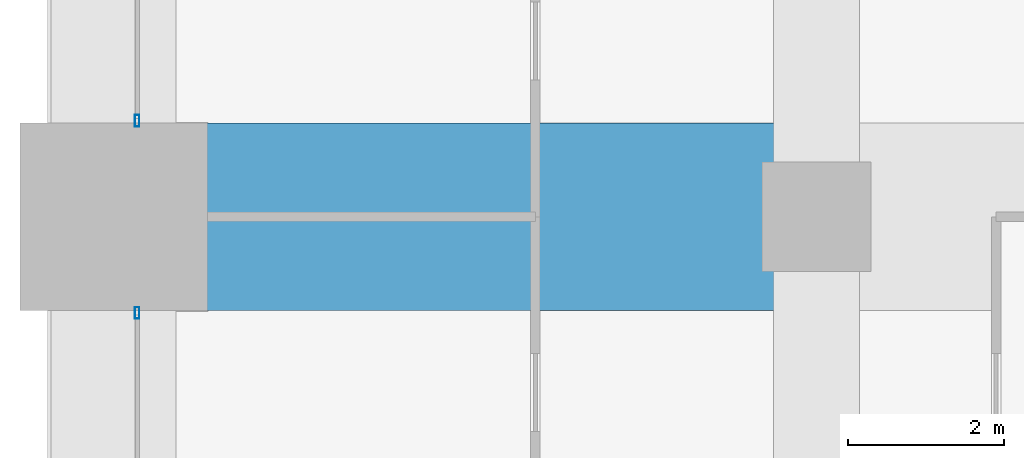
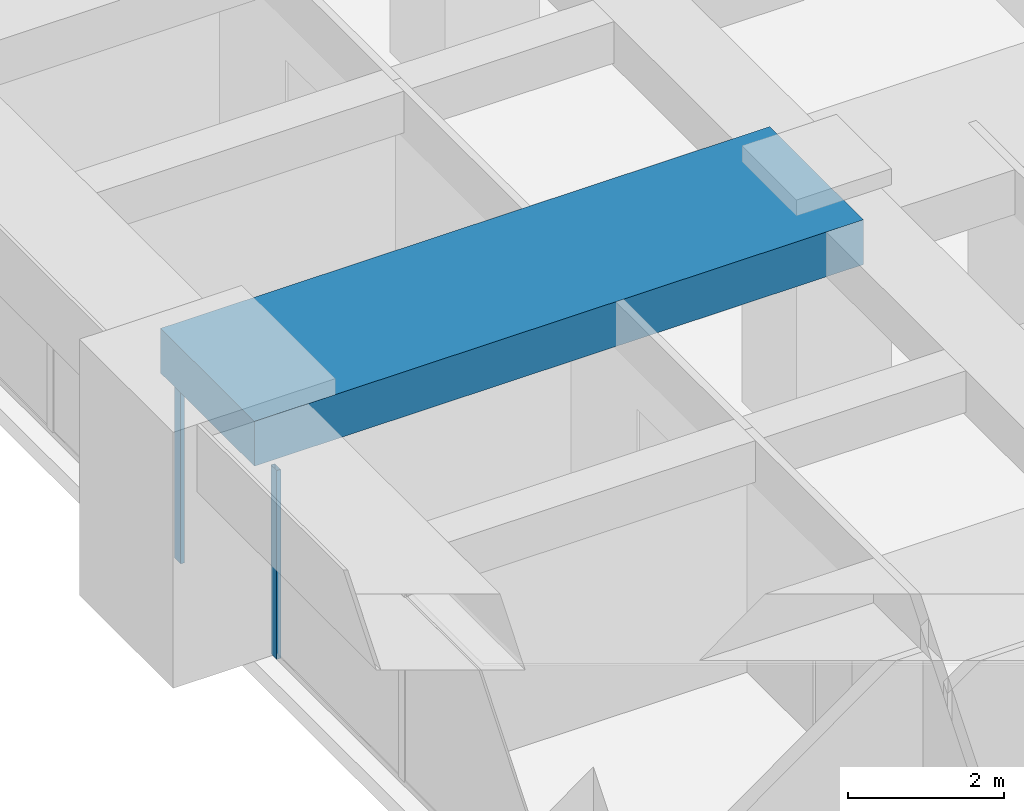
# One storey, part 11 of 35: 2 members, 1 beam, 2 elements without a shape of their own.
"""IFC4 building model written with IfcOpenShell, lengths in metres."""

from ifc_helpers import new_model, si_unit, direction, frame, origin, origin_2d, place, context, subcontext, project, spatial, rectangle, hollow_rectangle, extrude, material, material_profile, profile_set, type_object, element, aggregate, save


model = new_model("IFC4")

# Units and contexts
model_context = context("Model", 3, precision=1e-05, world=origin(), true_north=direction((0.0, 1.0)))
body_context = subcontext(model_context, "Body", "Model", "MODEL_VIEW")
ifc_project = project(units=[si_unit("LENGTHUNIT", "METRE"), si_unit("AREAUNIT", "SQUARE_METRE"), si_unit("VOLUMEUNIT", "CUBIC_METRE"), si_unit("PLANEANGLEUNIT", "RADIAN"), si_unit("MASSUNIT", "GRAM", prefix="KILO")], contexts=[model_context])

# Site, building, storey
site_placement = place(None, origin())
site = spatial("IfcSite", under=ifc_project, at=site_placement, CompositionType="ELEMENT")
building_placement = place(site_placement, origin())
building = spatial("IfcBuilding", under=site, at=building_placement, Name="Zorevar Civic Tower", CompositionType="ELEMENT")
storey_placement = place(building_placement, frame((0.0, 0.0, 222.199951171875)))
storey = spatial("IfcBuildingStorey", under=building, at=storey_placement, Name="L54", CompositionType="ELEMENT", Elevation=222.199951171875)

# Beam
ifc_material_1 = material(Name="Concrete C50/60", Category="concrete")
ifc_material_profile_1 = material_profile(ifc_material_1, rectangle(XDim=2.39990234375, YDim=0.699951171875, at=origin_2d()), Name="RC 2400x700")
ifc_profile_set_1 = profile_set([ifc_material_profile_1], Name="Concrete C50/60")
beam_type = type_object("IfcBeamType", Name="Beam RC 2400x700", PredefinedType="BEAM", material=ifc_profile_set_1)
beam_placement = place(storey_placement, frame((0.0, 27.0, 3.400146484375), z_axis=(1.0, 0.0, 0.0), x_axis=(0.0, 1.0, 0.0)))
element("IfcBeam", 1, at=beam_placement, inside=storey, type_object=beam_type, Name="Girder L55", PredefinedType="BEAM", context=body_context, shape_type="SweptSolid", body=[
    extrude(rectangle(XDim=2.39990234375, YDim=0.699951171875, at=origin_2d()), origin(), (0.0, 0.0, 1.0), 9.0),
])

# Curtain wall, member
ifc_material_2 = material(Name="Dark grey solar-control glass in black aluminium frame", Category="aluminium")
curtain_wall_type = type_object("IfcCurtainWallType", Name="Curtain wall CW4 high zone", PredefinedType="NOTDEFINED", material=ifc_material_2)
curtain_wall_1_placement = place(storey_placement, origin())
curtain_wall_1 = element("IfcCurtainWall", 2, at=curtain_wall_1_placement, inside=storey, type_object=curtain_wall_type, Name="CW4 L54", PredefinedType="NOTDEFINED")
ifc_material_3 = material(Name="Aluminium, black anodised", Category="aluminium")
ifc_material_profile_2 = material_profile(ifc_material_3, hollow_rectangle(XDim=0.06005859375, YDim=0.14990234375, WallThickness=0.00390625, at=origin_2d()), Name="AL 150x60x4")
ifc_profile_set_2 = profile_set([ifc_material_profile_2], Name="Aluminium, black anodised")
member_type = type_object("IfcMemberType", Name="CW4 mullion AL 150x60x4", PredefinedType="MULLION", material=ifc_profile_set_2)
member_1_placement = place(storey_placement, frame((0.300048828125, 25.77001953125, 0.0), z_axis=(0.0, 0.0, 1.0), x_axis=(-1.0, 0.0, 0.0)))
member_1 = element("IfcMember", 3, at=member_1_placement, type_object=member_type, Name="CW4 mullion 3", PredefinedType="MULLION", context=body_context, shape_type="SweptSolid", body=[
    extrude(hollow_rectangle(XDim=0.06005859375, YDim=0.14990234375, WallThickness=0.00390625, at=origin_2d()), origin(), (0.0, 0.0, 1.0), 2.949951171875),
])
aggregate(curtain_wall_1, [member_1])

curtain_wall_2_placement = place(storey_placement, origin())
curtain_wall_2 = element("IfcCurtainWall", 4, at=curtain_wall_2_placement, inside=storey, type_object=curtain_wall_type, Name="CW4 L54", PredefinedType="NOTDEFINED")
member_2_placement = place(storey_placement, frame((0.300048828125, 28.22998046875, 0.0), z_axis=(0.0, 0.0, 1.0), x_axis=(-1.0, 0.0, 0.0)))
member_2 = element("IfcMember", 5, at=member_2_placement, type_object=member_type, Name="CW4 mullion 1", PredefinedType="MULLION", context=body_context, shape_type="SweptSolid", body=[
    extrude(hollow_rectangle(XDim=0.06005859375, YDim=0.14990234375, WallThickness=0.00390625, at=origin_2d()), origin(), (0.0, 0.0, 1.0), 2.949951171875),
])
aggregate(curtain_wall_2, [member_2])

save(model, "model.ifc")
